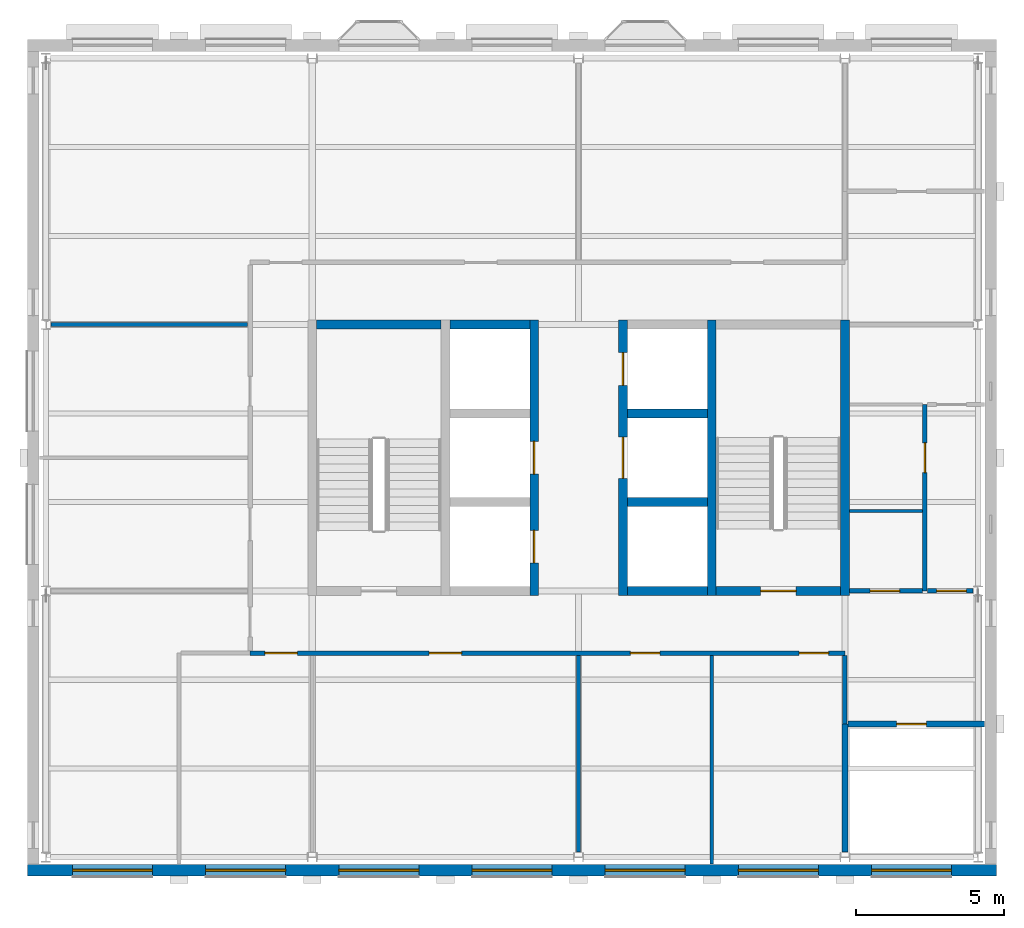
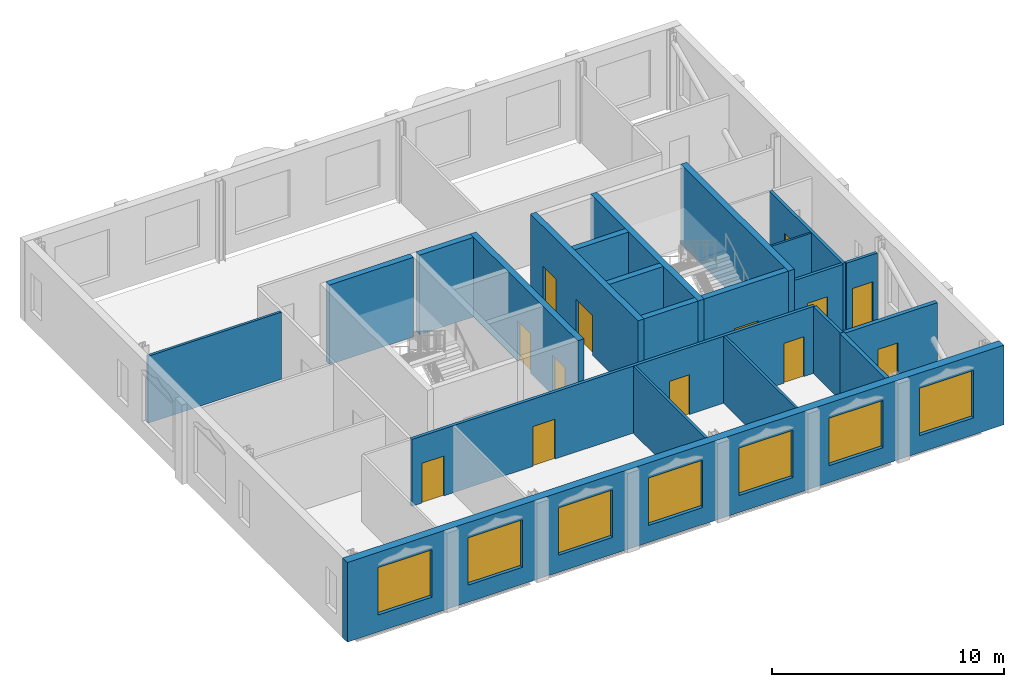
# One storey, part 4 of 9: 22 walls, 13 doors, 7 windows, 20 openings.
"""IFC4 building model written with IfcOpenShell, lengths in metres."""

from ifc_helpers import new_model, si_unit, direction, frame, frame_2d, origin, place, context, subcontext, project, spatial, rectangle, extrude, material, layer, layer_set, type_object, element, fill, save


model = new_model("IFC4")

# Units and contexts
model_context = context("Model", 3, precision=1e-05, world=origin(), true_north=direction((0.0, 1.0)))
body_context = subcontext(model_context, "Body", "Model", "MODEL_VIEW")
ifc_project = project(units=[si_unit("LENGTHUNIT", "METRE"), si_unit("AREAUNIT", "SQUARE_METRE"), si_unit("VOLUMEUNIT", "CUBIC_METRE"), si_unit("PLANEANGLEUNIT", "RADIAN"), si_unit("MASSUNIT", "GRAM", prefix="KILO")], contexts=[model_context])

# Site, building, storey
site_placement = place(None, origin())
site = spatial("IfcSite", under=ifc_project, at=site_placement, CompositionType="ELEMENT")
building_placement = place(site_placement, origin())
building = spatial("IfcBuilding", under=site, at=building_placement, Name="Hortulan Conservatory and Botanical Research Centre", CompositionType="ELEMENT")
storey_placement = place(building_placement, frame((0.0, 0.0, 40.199951171875)))
storey = spatial("IfcBuildingStorey", under=building, at=storey_placement, Name="L09", CompositionType="ELEMENT", Elevation=40.199951171875)

# Wall
ifc_material_1 = material(Name="Fire-rated plasterboard on steel studs", Category="steel")
ifc_layer_1 = layer(ifc_material_1, 0.199951171875)
ifc_layer_set_1 = layer_set([ifc_layer_1], Name="Compartment Partition 200")
wall_type_1 = type_object("IfcWallType", Name="Compartment Partition 200", PredefinedType="PARTITIONING", material=ifc_layer_set_1)
wall_1_placement = place(storey_placement, frame((27.0, 0.173583984375, 0.0), z_axis=(0.0, 0.0, 1.0), x_axis=(0.0, 1.0, 0.0)))
element("IfcWall", 1, at=wall_1_placement, inside=storey, type_object=wall_type_1, Name="Riser wall", PredefinedType="PARTITIONING", context=body_context, shape_type="SweptSolid", body=[
    extrude(rectangle(XDim=4.326416015625, YDim=0.199951171875, at=frame_2d((2.1630859375, 0.0))), origin(), (0.0, 0.0, 1.0), 3.537109375),
])

# Wall, opening, door
wall_2_placement = place(storey_placement, frame((27.110107421875, 4.5, 0.0), z_axis=(0.0, 0.0, 1.0), x_axis=(1.0, 0.0, 0.0)))
wall_2 = element("IfcWall", 2, at=wall_2_placement, inside=storey, type_object=wall_type_1, Name="Riser wall", PredefinedType="PARTITIONING", context=body_context, shape_type="SweptSolid", body=[
    extrude(rectangle(XDim=4.60498046875, YDim=0.199951171875, at=frame_2d((2.302490234375, 0.0))), origin(), (0.0, 0.0, 1.0), 3.537109375),
])
opening_1_placement = place(wall_2_placement, frame((1.639892578125, 0.0, 0.0)))
opening_1 = element("IfcOpeningElement", 3, at=opening_1_placement, cuts=wall_2, Name="Opening DT6", PredefinedType="OPENING", context=body_context, shape_type="SweptSolid", body=[
    extrude(rectangle(XDim=1.0, YDim=2.10009765625, at=frame_2d((0.5, 1.050048828125))), frame((0.0, 0.10986328125, 0.0), z_axis=(0.0, -1.0, 0.0), x_axis=(1.0, 0.0, 0.0)), (0.0, 0.0, 1.0), 0.219970703125),
])
ifc_material_2 = material(Name="Steel door leaf, insulated", Category="steel")
door_type_1 = type_object("IfcDoorType", Name="Fire Door 1000x2100 FRL -/120/30", OperationType="NOTDEFINED", PredefinedType="DOOR", material=ifc_material_2)
door_1_placement = place(opening_1_placement, frame((1.0, 0.0, 0.0), z_axis=(0.0, 0.0, 1.0), x_axis=(-1.0, 0.0, 0.0)))
door_1 = element("IfcDoor", 4, at=door_1_placement, inside=storey, type_object=door_type_1, Name="Door DT6 Services Riser", OperationType="SINGLE_SWING_LEFT", OverallHeight=2.10009765625, OverallWidth=1.0, PredefinedType="DOOR", context=body_context, shape_type="SweptSolid", body=[
    extrude(rectangle(XDim=1.0, YDim=2.10009765625, at=frame_2d((0.5, 1.050048828125))), frame((0.0, 0.02490234375, 0.0), z_axis=(0.0, -1.0, 0.0), x_axis=(1.0, 0.0, 0.0)), (0.0, 0.0, 1.0), 0.050048828125),
])
fill(opening_1, door_1)

# Wall, openings, doors
ifc_material_3 = material(Name="Concrete N40 (40 MPa, AS 3600)", Category="concrete")
ifc_layer_2 = layer(ifc_material_3, 0.300048828125)
ifc_layer_set_2 = layer_set([ifc_layer_2], Name="Core Wall 300 N40 FRL 240/120/120")
wall_type_2 = type_object("IfcWallType", Name="Core Wall 300 N40 FRL 240/120/120", PredefinedType="SHEAR", material=ifc_layer_set_2)
wall_3_placement = place(storey_placement, frame((16.5, 8.85009765625, 0.0), z_axis=(0.0, 0.0, 1.0), x_axis=(0.0, 1.0, 0.0)))
wall_3 = element("IfcWall", 5, at=wall_3_placement, inside=storey, type_object=wall_type_2, Name="Reinforced concrete shaft wall", PredefinedType="SHEAR", context=body_context, shape_type="SweptSolid", body=[
    extrude(rectangle(XDim=9.2998046875, YDim=0.300048828125, at=frame_2d((4.64990234375, 0.0))), origin(), (0.0, 0.0, 1.0), 4.199951171875),
])
opening_2_placement = place(wall_3_placement, frame((1.10009765625, 0.0, 0.0)))
opening_2 = element("IfcOpeningElement", 6, at=opening_2_placement, cuts=wall_3, Name="Opening LD1", PredefinedType="OPENING", context=body_context, shape_type="SweptSolid", body=[
    extrude(rectangle(XDim=1.10009765625, YDim=2.10009765625, at=frame_2d((0.550048828125, 1.050048828125))), frame((0.0, 0.159912109375, 0.0), z_axis=(0.0, -1.0, 0.0), x_axis=(1.0, 0.0, 0.0)), (0.0, 0.0, 1.0), 0.320068359375),
])
opening_3_placement = place(wall_3_placement, frame((4.10009765625, 0.0, 0.0)))
opening_3 = element("IfcOpeningElement", 7, at=opening_3_placement, cuts=wall_3, Name="Opening LD1", PredefinedType="OPENING", context=body_context, shape_type="SweptSolid", body=[
    extrude(rectangle(XDim=1.10009765625, YDim=2.10009765625, at=frame_2d((0.550048828125, 1.050048828125))), frame((0.0, 0.159912109375, 0.0), z_axis=(0.0, -1.0, 0.0), x_axis=(1.0, 0.0, 0.0)), (0.0, 0.0, 1.0), 0.320068359375),
])
ifc_material_4 = material(Name="Stainless steel door leaves in steel frame", Category="steel")
door_type_2 = type_object("IfcDoorType", Name="Lift Landing Door 1100x2100", OperationType="DOUBLE_DOOR_SLIDING", PredefinedType="DOOR", material=ifc_material_4)
door_2_placement = place(opening_2_placement, origin())
door_2 = element("IfcDoor", 8, at=door_2_placement, inside=storey, type_object=door_type_2, Name="Lift LP1 landing door L09", OperationType="DOUBLE_DOOR_SLIDING", OverallHeight=2.10009765625, OverallWidth=1.10009765625, PredefinedType="DOOR", context=body_context, shape_type="SweptSolid", body=[
    extrude(rectangle(XDim=1.10009765625, YDim=2.10009765625, at=frame_2d((0.550048828125, 1.050048828125))), frame((0.0, 0.02490234375, 0.0), z_axis=(0.0, -1.0, 0.0), x_axis=(1.0, 0.0, 0.0)), (0.0, 0.0, 1.0), 0.050048828125),
])
fill(opening_2, door_2)
door_3_placement = place(opening_3_placement, origin())
door_3 = element("IfcDoor", 9, at=door_3_placement, inside=storey, type_object=door_type_2, Name="Lift LP2 landing door L09", OperationType="DOUBLE_DOOR_SLIDING", OverallHeight=2.10009765625, OverallWidth=1.10009765625, PredefinedType="DOOR", context=body_context, shape_type="SweptSolid", body=[
    extrude(rectangle(XDim=1.10009765625, YDim=2.10009765625, at=frame_2d((0.550048828125, 1.050048828125))), frame((0.0, 0.02490234375, 0.0), z_axis=(0.0, -1.0, 0.0), x_axis=(1.0, 0.0, 0.0)), (0.0, 0.0, 1.0), 0.050048828125),
])
fill(opening_3, door_3)

wall_4_placement = place(storey_placement, frame((19.5, 8.85009765625, 0.0), z_axis=(0.0, 0.0, 1.0), x_axis=(0.0, 1.0, 0.0)))
wall_4 = element("IfcWall", 10, at=wall_4_placement, inside=storey, type_object=wall_type_2, Name="Reinforced concrete shaft wall", PredefinedType="SHEAR", context=body_context, shape_type="SweptSolid", body=[
    extrude(rectangle(XDim=9.2998046875, YDim=0.300048828125, at=frame_2d((4.64990234375, 0.0))), origin(), (0.0, 0.0, 1.0), 4.199951171875),
])
opening_4_placement = place(wall_4_placement, frame((3.949951171875, 0.0, 0.0)))
opening_4 = element("IfcOpeningElement", 11, at=opening_4_placement, cuts=wall_4, Name="Opening LD2", PredefinedType="OPENING", context=body_context, shape_type="SweptSolid", body=[
    extrude(rectangle(XDim=1.39990234375, YDim=2.10009765625, at=frame_2d((0.699951171875, 1.050048828125))), frame((0.0, 0.159912109375, 0.0), z_axis=(0.0, -1.0, 0.0), x_axis=(1.0, 0.0, 0.0)), (0.0, 0.0, 1.0), 0.320068359375),
])
opening_5_placement = place(wall_4_placement, frame((7.10009765625, 0.0, 0.0)))
opening_5 = element("IfcOpeningElement", 12, at=opening_5_placement, cuts=wall_4, Name="Opening LD1", PredefinedType="OPENING", context=body_context, shape_type="SweptSolid", body=[
    extrude(rectangle(XDim=1.10009765625, YDim=2.10009765625, at=frame_2d((0.550048828125, 1.050048828125))), frame((0.0, 0.159912109375, 0.0), z_axis=(0.0, -1.0, 0.0), x_axis=(1.0, 0.0, 0.0)), (0.0, 0.0, 1.0), 0.320068359375),
])
door_4_placement = place(opening_5_placement, origin())
door_4 = element("IfcDoor", 13, at=door_4_placement, inside=storey, type_object=door_type_2, Name="Lift LF1 landing door L09", OperationType="DOUBLE_DOOR_SLIDING", OverallHeight=2.10009765625, OverallWidth=1.10009765625, PredefinedType="DOOR", context=body_context, shape_type="SweptSolid", body=[
    extrude(rectangle(XDim=1.10009765625, YDim=2.10009765625, at=frame_2d((0.550048828125, 1.050048828125))), frame((0.0, 0.02490234375, 0.0), z_axis=(0.0, -1.0, 0.0), x_axis=(1.0, 0.0, 0.0)), (0.0, 0.0, 1.0), 0.050048828125),
])
fill(opening_5, door_4)
door_type_3 = type_object("IfcDoorType", Name="Lift Landing Door 1400x2100", OperationType="DOUBLE_DOOR_SLIDING", PredefinedType="DOOR", material=ifc_material_4)
door_5_placement = place(opening_4_placement, origin())
door_5 = element("IfcDoor", 14, at=door_5_placement, inside=storey, type_object=door_type_3, Name="Lift LG1 landing door L09", OperationType="DOUBLE_DOOR_SLIDING", OverallHeight=2.10009765625, OverallWidth=1.39990234375, PredefinedType="DOOR", context=body_context, shape_type="SweptSolid", body=[
    extrude(rectangle(XDim=1.39990234375, YDim=2.10009765625, at=frame_2d((0.699951171875, 1.050048828125))), frame((0.0, 0.02490234375, 0.0), z_axis=(0.0, -1.0, 0.0), x_axis=(1.0, 0.0, 0.0)), (0.0, 0.0, 1.0), 0.050048828125),
])
fill(opening_4, door_5)

# Walls
for number, where, z_axis, x_axis, name in (
    (15, (22.5, 8.85009765625, 0.0), (0.0, 0.0, 1.0), (0.0, 1.0, 0.0), "Reinforced concrete shaft wall"),
    (16, (27.0, 8.85009765625, 0.0), (0.0, 0.0, 1.0), (0.0, 1.0, 0.0), "Reinforced concrete shaft wall"),
):
    element("IfcWall", number, at=place(storey_placement, frame(where, z_axis=z_axis, x_axis=x_axis)), inside=storey, type_object=wall_type_2, Name=name, PredefinedType="SHEAR", context=body_context, shape_type="SweptSolid", body=[
        extrude(rectangle(XDim=9.2998046875, YDim=0.300048828125, at=frame_2d((4.64990234375, 0.0))), origin(), (0.0, 0.0, 1.0), 4.199951171875),
    ])
wall_5_placement = place(storey_placement, frame((19.64990234375, 9.0, 0.0), z_axis=(0.0, 0.0, 1.0), x_axis=(1.0, 0.0, 0.0)))
element("IfcWall", 17, at=wall_5_placement, inside=storey, type_object=wall_type_2, Name="Reinforced concrete shaft wall", PredefinedType="SHEAR", context=body_context, shape_type="SweptSolid", body=[
    extrude(rectangle(XDim=2.7001953125, YDim=0.300048828125, at=frame_2d((1.35009765625, 0.0))), origin(), (0.0, 0.0, 1.0), 4.199951171875),
])

# Wall, opening, door
wall_6_placement = place(storey_placement, frame((22.64990234375, 9.0, 0.0), z_axis=(0.0, 0.0, 1.0), x_axis=(1.0, 0.0, 0.0)))
wall_6 = element("IfcWall", 18, at=wall_6_placement, inside=storey, type_object=wall_type_2, Name="Reinforced concrete shaft wall", PredefinedType="SHEAR", context=body_context, shape_type="SweptSolid", body=[
    extrude(rectangle(XDim=4.2001953125, YDim=0.300048828125, at=frame_2d((2.10009765625, 0.0))), origin(), (0.0, 0.0, 1.0), 4.199951171875),
])
opening_6_placement = place(wall_6_placement, frame((1.5, 0.0, 0.0)))
opening_6 = element("IfcOpeningElement", 19, at=opening_6_placement, cuts=wall_6, Name="Opening DT5", PredefinedType="OPENING", context=body_context, shape_type="SweptSolid", body=[
    extrude(rectangle(XDim=1.199951171875, YDim=2.10009765625, at=frame_2d((0.60009765625, 1.050048828125))), frame((0.0, 0.159912109375, 0.0), z_axis=(0.0, -1.0, 0.0), x_axis=(1.0, 0.0, 0.0)), (0.0, 0.0, 1.0), 0.320068359375),
])
door_type_4 = type_object("IfcDoorType", Name="Stair Door 1200x2100 FRL -/120/30", OperationType="NOTDEFINED", PredefinedType="DOOR", material=ifc_material_2)
door_6_placement = place(opening_6_placement, origin())
door_6 = element("IfcDoor", 20, at=door_6_placement, inside=storey, type_object=door_type_4, Name="Door DT5 Exit Stair T2", OperationType="SINGLE_SWING_LEFT", OverallHeight=2.10009765625, OverallWidth=1.199951171875, PredefinedType="DOOR", context=body_context, shape_type="SweptSolid", body=[
    extrude(rectangle(XDim=1.199951171875, YDim=2.10009765625, at=frame_2d((0.60009765625, 1.050048828125))), frame((0.0, 0.02490234375, 0.0), z_axis=(0.0, -1.0, 0.0), x_axis=(1.0, 0.0, 0.0)), (0.0, 0.0, 1.0), 0.050048828125),
])
fill(opening_6, door_6)

# Walls
for number, where, z_axis, x_axis, name in (
    (21, (19.64990234375, 12.0, 0.0), (0.0, 0.0, 1.0), (1.0, 0.0, 0.0), "Reinforced concrete shaft wall"),
    (22, (19.64990234375, 15.0, 0.0), (0.0, 0.0, 1.0), (1.0, 0.0, 0.0), "Reinforced concrete shaft wall"),
):
    element("IfcWall", number, at=place(storey_placement, frame(where, z_axis=z_axis, x_axis=x_axis)), inside=storey, type_object=wall_type_2, Name=name, PredefinedType="SHEAR", context=body_context, shape_type="SweptSolid", body=[
        extrude(rectangle(XDim=2.7001953125, YDim=0.300048828125, at=frame_2d((1.35009765625, 0.0))), origin(), (0.0, 0.0, 1.0), 4.199951171875),
    ])
wall_7_placement = place(storey_placement, frame((9.14990234375, 18.0, 0.0), z_axis=(0.0, 0.0, 1.0), x_axis=(1.0, 0.0, 0.0)))
element("IfcWall", 23, at=wall_7_placement, inside=storey, type_object=wall_type_2, Name="Reinforced concrete shaft wall", PredefinedType="SHEAR", context=body_context, shape_type="SweptSolid", body=[
    extrude(rectangle(XDim=4.2001953125, YDim=0.300048828125, at=frame_2d((2.10009765625, 0.0))), origin(), (0.0, 0.0, 1.0), 4.199951171875),
])
wall_8_placement = place(storey_placement, frame((13.64990234375, 18.0, 0.0), z_axis=(0.0, 0.0, 1.0), x_axis=(1.0, 0.0, 0.0)))
element("IfcWall", 24, at=wall_8_placement, inside=storey, type_object=wall_type_2, Name="Reinforced concrete shaft wall", PredefinedType="SHEAR", context=body_context, shape_type="SweptSolid", body=[
    extrude(rectangle(XDim=2.7001953125, YDim=0.300048828125, at=frame_2d((1.35009765625, 0.0))), origin(), (0.0, 0.0, 1.0), 4.199951171875),
])
ifc_material_5 = material(Name="Plasterboard on steel studs", Category="steel")
ifc_layer_3 = layer(ifc_material_5, 0.14990234375)
ifc_layer_set_3 = layer_set([ifc_layer_3], Name="Corridor Partition 150")
wall_type_3 = type_object("IfcWallType", Name="Corridor Partition 150", PredefinedType="PARTITIONING", material=ifc_layer_set_3)
wall_9_placement = place(storey_placement, frame((27.0, 4.510009765625, 0.0), z_axis=(0.0, 0.0, 1.0), x_axis=(0.0, 1.0, 0.0)))
element("IfcWall", 25, at=wall_9_placement, inside=storey, type_object=wall_type_3, Name="Corridor partition", PredefinedType="PARTITIONING", context=body_context, shape_type="SweptSolid", body=[
    extrude(rectangle(XDim=2.304931640625, YDim=0.14990234375, at=frame_2d((1.15234375, 0.0))), origin(), (0.0, 0.0, 1.0), 3.537109375),
])

# Wall, openings, doors
wall_10_placement = place(storey_placement, frame((6.89990234375, 6.89990234375, 0.0), z_axis=(0.0, 0.0, 1.0), x_axis=(1.0, 0.0, 0.0)))
wall_10 = element("IfcWall", 26, at=wall_10_placement, inside=storey, type_object=wall_type_3, Name="Corridor partition", PredefinedType="PARTITIONING", context=body_context, shape_type="SweptSolid", body=[
    extrude(rectangle(XDim=20.10009765625, YDim=0.14990234375, at=frame_2d((10.050048828125, 0.0))), origin(), (0.0, 0.0, 1.0), 3.537109375),
])
opening_7_placement = place(wall_10_placement, frame((0.5, 0.0, 0.0)))
opening_7 = element("IfcOpeningElement", 27, at=opening_7_placement, cuts=wall_10, Name="Opening DT3", PredefinedType="OPENING", context=body_context, shape_type="SweptSolid", body=[
    extrude(rectangle(XDim=1.10009765625, YDim=2.10009765625, at=frame_2d((0.550048828125, 1.050048828125))), frame((0.0, 0.0849609375, 0.0), z_axis=(0.0, -1.0, 0.0), x_axis=(1.0, 0.0, 0.0)), (0.0, 0.0, 1.0), 0.169921875),
])
opening_8_placement = place(wall_10_placement, frame((6.050048828125, 0.0, 0.0)))
opening_8 = element("IfcOpeningElement", 28, at=opening_8_placement, cuts=wall_10, Name="Opening DT3", PredefinedType="OPENING", context=body_context, shape_type="SweptSolid", body=[
    extrude(rectangle(XDim=1.10009765625, YDim=2.10009765625, at=frame_2d((0.550048828125, 1.050048828125))), frame((0.0, 0.0849609375, 0.0), z_axis=(0.0, -1.0, 0.0), x_axis=(1.0, 0.0, 0.0)), (0.0, 0.0, 1.0), 0.169921875),
])
opening_9_placement = place(wall_10_placement, frame((12.85009765625, 0.0, 0.0)))
opening_9 = element("IfcOpeningElement", 29, at=opening_9_placement, cuts=wall_10, Name="Opening DT1", PredefinedType="OPENING", context=body_context, shape_type="SweptSolid", body=[
    extrude(rectangle(XDim=1.0, YDim=2.10009765625, at=frame_2d((0.5, 1.050048828125))), frame((0.0, 0.0849609375, 0.0), z_axis=(0.0, -1.0, 0.0), x_axis=(1.0, 0.0, 0.0)), (0.0, 0.0, 1.0), 0.169921875),
])
opening_10_placement = place(wall_10_placement, frame((18.550048828125, 0.0, 0.0)))
opening_10 = element("IfcOpeningElement", 30, at=opening_10_placement, cuts=wall_10, Name="Opening DT1", PredefinedType="OPENING", context=body_context, shape_type="SweptSolid", body=[
    extrude(rectangle(XDim=1.0, YDim=2.10009765625, at=frame_2d((0.5, 1.050048828125))), frame((0.0, 0.0849609375, 0.0), z_axis=(0.0, -1.0, 0.0), x_axis=(1.0, 0.0, 0.0)), (0.0, 0.0, 1.0), 0.169921875),
])
ifc_material_6 = material(Name="Timber door leaf with vision panel", Category="wood")
door_type_5 = type_object("IfcDoorType", Name="Laboratory Door 1100x2100", OperationType="NOTDEFINED", PredefinedType="DOOR", material=ifc_material_6)
door_7_placement = place(opening_7_placement, frame((1.10009765625, 0.0, 0.0), z_axis=(0.0, 0.0, 1.0), x_axis=(-1.0, 0.0, 0.0)))
door_7 = element("IfcDoor", 31, at=door_7_placement, inside=storey, type_object=door_type_5, Name="Door DT3 Laboratory Write-up Office", OperationType="SINGLE_SWING_LEFT", OverallHeight=2.10009765625, OverallWidth=1.10009765625, PredefinedType="DOOR", context=body_context, shape_type="SweptSolid", body=[
    extrude(rectangle(XDim=1.10009765625, YDim=2.10009765625, at=frame_2d((0.550048828125, 1.050048828125))), frame((0.0, 0.02490234375, 0.0), z_axis=(0.0, -1.0, 0.0), x_axis=(1.0, 0.0, 0.0)), (0.0, 0.0, 1.0), 0.050048828125),
])
fill(opening_7, door_7)
door_8_placement = place(opening_8_placement, frame((1.10009765625, 0.0, 0.0), z_axis=(0.0, 0.0, 1.0), x_axis=(-1.0, 0.0, 0.0)))
door_8 = element("IfcDoor", 32, at=door_8_placement, inside=storey, type_object=door_type_5, Name="Door DT3 Chemistry Laboratory", OperationType="SINGLE_SWING_RIGHT", OverallHeight=2.10009765625, OverallWidth=1.10009765625, PredefinedType="DOOR", context=body_context, shape_type="SweptSolid", body=[
    extrude(rectangle(XDim=1.10009765625, YDim=2.10009765625, at=frame_2d((0.550048828125, 1.050048828125))), frame((0.0, 0.02490234375, 0.0), z_axis=(0.0, -1.0, 0.0), x_axis=(1.0, 0.0, 0.0)), (0.0, 0.0, 1.0), 0.050048828125),
])
fill(opening_8, door_8)
ifc_material_7 = material(Name="Timber door leaf in timber frame", Category="wood")
door_type_6 = type_object("IfcDoorType", Name="Single Door 1000x2100", OperationType="NOTDEFINED", PredefinedType="DOOR", material=ifc_material_7)
door_9_placement = place(opening_9_placement, frame((1.0, 0.0, 0.0), z_axis=(0.0, 0.0, 1.0), x_axis=(-1.0, 0.0, 0.0)))
door_9 = element("IfcDoor", 33, at=door_9_placement, inside=storey, type_object=door_type_6, Name="Door DT1 Instrument Room", OperationType="SINGLE_SWING_LEFT", OverallHeight=2.10009765625, OverallWidth=1.0, PredefinedType="DOOR", context=body_context, shape_type="SweptSolid", body=[
    extrude(rectangle(XDim=1.0, YDim=2.10009765625, at=frame_2d((0.5, 1.050048828125))), frame((0.0, 0.02490234375, 0.0), z_axis=(0.0, -1.0, 0.0), x_axis=(1.0, 0.0, 0.0)), (0.0, 0.0, 1.0), 0.050048828125),
])
fill(opening_9, door_9)
door_10_placement = place(opening_10_placement, frame((1.0, 0.0, 0.0), z_axis=(0.0, 0.0, 1.0), x_axis=(-1.0, 0.0, 0.0)))
door_10 = element("IfcDoor", 34, at=door_10_placement, inside=storey, type_object=door_type_6, Name="Door DT1 Equipment Store", OperationType="SINGLE_SWING_RIGHT", OverallHeight=2.10009765625, OverallWidth=1.0, PredefinedType="DOOR", context=body_context, shape_type="SweptSolid", body=[
    extrude(rectangle(XDim=1.0, YDim=2.10009765625, at=frame_2d((0.5, 1.050048828125))), frame((0.0, 0.02490234375, 0.0), z_axis=(0.0, -1.0, 0.0), x_axis=(1.0, 0.0, 0.0)), (0.0, 0.0, 1.0), 0.050048828125),
])
fill(opening_10, door_10)

# Wall, opening, door
wall_11_placement = place(storey_placement, frame((27.159912109375, 9.0, 0.0), z_axis=(0.0, 0.0, 1.0), x_axis=(1.0, 0.0, 0.0)))
wall_11 = element("IfcWall", 35, at=wall_11_placement, inside=storey, type_object=wall_type_3, Name="Corridor partition", PredefinedType="PARTITIONING", context=body_context, shape_type="SweptSolid", body=[
    extrude(rectangle(XDim=2.455078125, YDim=0.14990234375, at=frame_2d((1.2275390625, 0.0))), origin(), (0.0, 0.0, 1.0), 3.537109375),
])
opening_11_placement = place(wall_11_placement, frame((0.68994140625, 0.0, 0.0)))
opening_11 = element("IfcOpeningElement", 36, at=opening_11_placement, cuts=wall_11, Name="Opening DT1", PredefinedType="OPENING", context=body_context, shape_type="SweptSolid", body=[
    extrude(rectangle(XDim=1.0, YDim=2.10009765625, at=frame_2d((0.5, 1.050048828125))), frame((0.0, 0.0849609375, 0.0), z_axis=(0.0, -1.0, 0.0), x_axis=(1.0, 0.0, 0.0)), (0.0, 0.0, 1.0), 0.169921875),
])
door_11_placement = place(opening_11_placement, origin())
door_11 = element("IfcDoor", 37, at=door_11_placement, inside=storey, type_object=door_type_6, Name="Door DT1 Accessible WC", OperationType="SINGLE_SWING_RIGHT", OverallHeight=2.10009765625, OverallWidth=1.0, PredefinedType="DOOR", context=body_context, shape_type="SweptSolid", body=[
    extrude(rectangle(XDim=1.0, YDim=2.10009765625, at=frame_2d((0.5, 1.050048828125))), frame((0.0, 0.02490234375, 0.0), z_axis=(0.0, -1.0, 0.0), x_axis=(1.0, 0.0, 0.0)), (0.0, 0.0, 1.0), 0.050048828125),
])
fill(opening_11, door_11)

# Wall, openings, windows
ifc_material_8 = material(Name="Faience-faced brickwork masonry", Category="masonry")
ifc_layer_4 = layer(ifc_material_8, 0.39990234375)
ifc_layer_set_4 = layer_set([ifc_layer_4], Name="Faience-faced Masonry Cavity Wall 400")
wall_type_4 = type_object("IfcWallType", Name="Faience-faced Masonry Cavity Wall 400", PredefinedType="STANDARD", material=ifc_layer_set_4)
wall_12_placement = place(storey_placement, frame((32.125, -0.43603515625, 0.0), z_axis=(0.0, 0.0, 1.0), x_axis=(-1.0, 0.0, 0.0)))
wall_12 = element("IfcWall", 38, at=wall_12_placement, inside=storey, type_object=wall_type_4, Name="E-EW-TW-L09-S1", PredefinedType="STANDARD", context=body_context, shape_type="SweptSolid", body=[
    extrude(rectangle(XDim=32.75, YDim=0.39990234375, at=frame_2d((16.375, 0.0))), origin(), (0.0, 0.0, 1.0), 4.199951171875),
])
opening_12_placement = place(wall_12_placement, frame((28.52490234375, 0.0, 0.89990234375)))
opening_12 = element("IfcOpeningElement", 39, at=opening_12_placement, cuts=wall_12, Name="Opening W4", PredefinedType="OPENING", context=body_context, shape_type="SweptSolid", body=[
    extrude(rectangle(XDim=2.699951171875, YDim=2.5, at=frame_2d((1.35009765625, 1.25))), frame((0.0, 0.2099609375, 0.0), z_axis=(0.0, -1.0, 0.0), x_axis=(1.0, 0.0, 0.0)), (0.0, 0.0, 1.0), 0.419921875),
])
opening_13_placement = place(wall_12_placement, frame((24.02490234375, 0.0, 0.89990234375)))
opening_13 = element("IfcOpeningElement", 40, at=opening_13_placement, cuts=wall_12, Name="Opening W4", PredefinedType="OPENING", context=body_context, shape_type="SweptSolid", body=[
    extrude(rectangle(XDim=2.699951171875, YDim=2.5, at=frame_2d((1.35009765625, 1.25))), frame((0.0, 0.2099609375, 0.0), z_axis=(0.0, -1.0, 0.0), x_axis=(1.0, 0.0, 0.0)), (0.0, 0.0, 1.0), 0.419921875),
])
opening_14_placement = place(wall_12_placement, frame((19.52490234375, 0.0, 0.89990234375)))
opening_14 = element("IfcOpeningElement", 41, at=opening_14_placement, cuts=wall_12, Name="Opening W4", PredefinedType="OPENING", context=body_context, shape_type="SweptSolid", body=[
    extrude(rectangle(XDim=2.699951171875, YDim=2.5, at=frame_2d((1.35009765625, 1.25))), frame((0.0, 0.2099609375, 0.0), z_axis=(0.0, -1.0, 0.0), x_axis=(1.0, 0.0, 0.0)), (0.0, 0.0, 1.0), 0.419921875),
])
opening_15_placement = place(wall_12_placement, frame((15.02490234375, 0.0, 0.89990234375)))
opening_15 = element("IfcOpeningElement", 42, at=opening_15_placement, cuts=wall_12, Name="Opening W4", PredefinedType="OPENING", context=body_context, shape_type="SweptSolid", body=[
    extrude(rectangle(XDim=2.699951171875, YDim=2.5, at=frame_2d((1.35009765625, 1.25))), frame((0.0, 0.2099609375, 0.0), z_axis=(0.0, -1.0, 0.0), x_axis=(1.0, 0.0, 0.0)), (0.0, 0.0, 1.0), 0.419921875),
])
opening_16_placement = place(wall_12_placement, frame((10.52490234375, 0.0, 0.89990234375)))
opening_16 = element("IfcOpeningElement", 43, at=opening_16_placement, cuts=wall_12, Name="Opening W4", PredefinedType="OPENING", context=body_context, shape_type="SweptSolid", body=[
    extrude(rectangle(XDim=2.699951171875, YDim=2.5, at=frame_2d((1.35009765625, 1.25))), frame((0.0, 0.2099609375, 0.0), z_axis=(0.0, -1.0, 0.0), x_axis=(1.0, 0.0, 0.0)), (0.0, 0.0, 1.0), 0.419921875),
])
opening_17_placement = place(wall_12_placement, frame((6.02490234375, 0.0, 0.89990234375)))
opening_17 = element("IfcOpeningElement", 44, at=opening_17_placement, cuts=wall_12, Name="Opening W4", PredefinedType="OPENING", context=body_context, shape_type="SweptSolid", body=[
    extrude(rectangle(XDim=2.699951171875, YDim=2.5, at=frame_2d((1.35009765625, 1.25))), frame((0.0, 0.2099609375, 0.0), z_axis=(0.0, -1.0, 0.0), x_axis=(1.0, 0.0, 0.0)), (0.0, 0.0, 1.0), 0.419921875),
])
opening_18_placement = place(wall_12_placement, frame((1.52490234375, 0.0, 0.89990234375)))
opening_18 = element("IfcOpeningElement", 45, at=opening_18_placement, cuts=wall_12, Name="Opening W4", PredefinedType="OPENING", context=body_context, shape_type="SweptSolid", body=[
    extrude(rectangle(XDim=2.699951171875, YDim=2.5, at=frame_2d((1.35009765625, 1.25))), frame((0.0, 0.2099609375, 0.0), z_axis=(0.0, -1.0, 0.0), x_axis=(1.0, 0.0, 0.0)), (0.0, 0.0, 1.0), 0.419921875),
])
ifc_material_9 = material(Name="Bronze-finished aluminium frame with low-e laminated double glazing", Category="aluminium")
window_type = type_object("IfcWindowType", Name="Faience Window 2700x2500", PartitioningType="SINGLE_PANEL", PredefinedType="WINDOW", material=ifc_material_9)
window_1_placement = place(opening_12_placement, origin())
window_1 = element("IfcWindow", 46, at=window_1_placement, inside=storey, type_object=window_type, Name="Faience window", OverallHeight=2.5, OverallWidth=2.699951171875, PartitioningType="SINGLE_PANEL", PredefinedType="WINDOW", context=body_context, shape_type="SweptSolid", body=[
    extrude(rectangle(XDim=2.699951171875, YDim=2.5, at=frame_2d((1.35009765625, 1.25))), frame((0.0, 0.030029296875, 0.0), z_axis=(0.0, -1.0, 0.0), x_axis=(1.0, 0.0, 0.0)), (0.0, 0.0, 1.0), 0.06005859375),
])
fill(opening_12, window_1)
window_2_placement = place(opening_13_placement, origin())
window_2 = element("IfcWindow", 47, at=window_2_placement, inside=storey, type_object=window_type, Name="Faience window", OverallHeight=2.5, OverallWidth=2.699951171875, PartitioningType="SINGLE_PANEL", PredefinedType="WINDOW", context=body_context, shape_type="SweptSolid", body=[
    extrude(rectangle(XDim=2.699951171875, YDim=2.5, at=frame_2d((1.35009765625, 1.25))), frame((0.0, 0.030029296875, 0.0), z_axis=(0.0, -1.0, 0.0), x_axis=(1.0, 0.0, 0.0)), (0.0, 0.0, 1.0), 0.06005859375),
])
fill(opening_13, window_2)
window_3_placement = place(opening_14_placement, origin())
window_3 = element("IfcWindow", 48, at=window_3_placement, inside=storey, type_object=window_type, Name="Faience window", OverallHeight=2.5, OverallWidth=2.699951171875, PartitioningType="SINGLE_PANEL", PredefinedType="WINDOW", context=body_context, shape_type="SweptSolid", body=[
    extrude(rectangle(XDim=2.699951171875, YDim=2.5, at=frame_2d((1.35009765625, 1.25))), frame((0.0, 0.030029296875, 0.0), z_axis=(0.0, -1.0, 0.0), x_axis=(1.0, 0.0, 0.0)), (0.0, 0.0, 1.0), 0.06005859375),
])
fill(opening_14, window_3)
window_4_placement = place(opening_15_placement, origin())
window_4 = element("IfcWindow", 49, at=window_4_placement, inside=storey, type_object=window_type, Name="Faience window", OverallHeight=2.5, OverallWidth=2.699951171875, PartitioningType="SINGLE_PANEL", PredefinedType="WINDOW", context=body_context, shape_type="SweptSolid", body=[
    extrude(rectangle(XDim=2.699951171875, YDim=2.5, at=frame_2d((1.35009765625, 1.25))), frame((0.0, 0.030029296875, 0.0), z_axis=(0.0, -1.0, 0.0), x_axis=(1.0, 0.0, 0.0)), (0.0, 0.0, 1.0), 0.06005859375),
])
fill(opening_15, window_4)
window_5_placement = place(opening_16_placement, origin())
window_5 = element("IfcWindow", 50, at=window_5_placement, inside=storey, type_object=window_type, Name="Faience window", OverallHeight=2.5, OverallWidth=2.699951171875, PartitioningType="SINGLE_PANEL", PredefinedType="WINDOW", context=body_context, shape_type="SweptSolid", body=[
    extrude(rectangle(XDim=2.699951171875, YDim=2.5, at=frame_2d((1.35009765625, 1.25))), frame((0.0, 0.030029296875, 0.0), z_axis=(0.0, -1.0, 0.0), x_axis=(1.0, 0.0, 0.0)), (0.0, 0.0, 1.0), 0.06005859375),
])
fill(opening_16, window_5)
window_6_placement = place(opening_17_placement, origin())
window_6 = element("IfcWindow", 51, at=window_6_placement, inside=storey, type_object=window_type, Name="Faience window", OverallHeight=2.5, OverallWidth=2.699951171875, PartitioningType="SINGLE_PANEL", PredefinedType="WINDOW", context=body_context, shape_type="SweptSolid", body=[
    extrude(rectangle(XDim=2.699951171875, YDim=2.5, at=frame_2d((1.35009765625, 1.25))), frame((0.0, 0.030029296875, 0.0), z_axis=(0.0, -1.0, 0.0), x_axis=(1.0, 0.0, 0.0)), (0.0, 0.0, 1.0), 0.06005859375),
])
fill(opening_17, window_6)
window_7_placement = place(opening_18_placement, origin())
window_7 = element("IfcWindow", 52, at=window_7_placement, inside=storey, type_object=window_type, Name="Faience window", OverallHeight=2.5, OverallWidth=2.699951171875, PartitioningType="SINGLE_PANEL", PredefinedType="WINDOW", context=body_context, shape_type="SweptSolid", body=[
    extrude(rectangle(XDim=2.699951171875, YDim=2.5, at=frame_2d((1.35009765625, 1.25))), frame((0.0, 0.030029296875, 0.0), z_axis=(0.0, -1.0, 0.0), x_axis=(1.0, 0.0, 0.0)), (0.0, 0.0, 1.0), 0.06005859375),
])
fill(opening_18, window_7)

# Wall, opening, door
ifc_layer_5 = layer(ifc_material_1, 0.14990234375)
ifc_layer_set_5 = layer_set([ifc_layer_5], Name="Lobby Partition 150")
wall_type_5 = type_object("IfcWallType", Name="Lobby Partition 150", PredefinedType="PARTITIONING", material=ifc_layer_set_5)
wall_13_placement = place(storey_placement, frame((29.699951171875, 9.0, 0.0), z_axis=(0.0, 0.0, 1.0), x_axis=(0.0, 1.0, 0.0)))
wall_13 = element("IfcWall", 53, at=wall_13_placement, inside=storey, type_object=wall_type_5, Name="Lobby partition", PredefinedType="PARTITIONING", context=body_context, shape_type="SweptSolid", body=[
    extrude(rectangle(XDim=6.300048828125, YDim=0.14990234375, at=frame_2d((3.14990234375, 0.0))), origin(), (0.0, 0.0, 1.0), 3.537109375),
])
opening_19_placement = place(wall_13_placement, frame((4.0, 0.0, 0.0)))
opening_19 = element("IfcOpeningElement", 54, at=opening_19_placement, cuts=wall_13, Name="Opening DT4", PredefinedType="OPENING", context=body_context, shape_type="SweptSolid", body=[
    extrude(rectangle(XDim=1.0, YDim=2.10009765625, at=frame_2d((0.5, 1.050048828125))), frame((0.0, 0.0849609375, 0.0), z_axis=(0.0, -1.0, 0.0), x_axis=(1.0, 0.0, 0.0)), (0.0, 0.0, 1.0), 0.169921875),
])
door_type_7 = type_object("IfcDoorType", Name="Fire Door 1000x2100 FRL -/60/30", OperationType="NOTDEFINED", PredefinedType="DOOR", material=ifc_material_2)
door_12_placement = place(opening_19_placement, origin())
door_12 = element("IfcDoor", 55, at=door_12_placement, inside=storey, type_object=door_type_7, Name="Door DT4 Women's WC", OperationType="SINGLE_SWING_LEFT", OverallHeight=2.10009765625, OverallWidth=1.0, PredefinedType="DOOR", context=body_context, shape_type="SweptSolid", body=[
    extrude(rectangle(XDim=1.0, YDim=2.10009765625, at=frame_2d((0.5, 1.050048828125))), frame((0.0, 0.02490234375, 0.0), z_axis=(0.0, -1.0, 0.0), x_axis=(1.0, 0.0, 0.0)), (0.0, 0.0, 1.0), 0.050048828125),
])
fill(opening_19, door_12)

wall_14_placement = place(storey_placement, frame((29.784912109375, 9.0, 0.0), z_axis=(0.0, 0.0, 1.0), x_axis=(1.0, 0.0, 0.0)))
wall_14 = element("IfcWall", 56, at=wall_14_placement, inside=storey, type_object=wall_type_5, Name="Lobby partition", PredefinedType="PARTITIONING", context=body_context, shape_type="SweptSolid", body=[
    extrude(rectangle(XDim=1.549560546875, YDim=0.14990234375, at=frame_2d((0.77490234375, 0.0))), origin(), (0.0, 0.0, 1.0), 3.537109375),
])
opening_20_placement = place(wall_14_placement, frame((0.31494140625, 0.0, 0.0)))
opening_20 = element("IfcOpeningElement", 57, at=opening_20_placement, cuts=wall_14, Name="Opening DT4", PredefinedType="OPENING", context=body_context, shape_type="SweptSolid", body=[
    extrude(rectangle(XDim=1.0, YDim=2.10009765625, at=frame_2d((0.5, 1.050048828125))), frame((0.0, 0.0849609375, 0.0), z_axis=(0.0, -1.0, 0.0), x_axis=(1.0, 0.0, 0.0)), (0.0, 0.0, 1.0), 0.169921875),
])
door_13_placement = place(opening_20_placement, origin())
door_13 = element("IfcDoor", 58, at=door_13_placement, inside=storey, type_object=door_type_7, Name="Door DT4 WC Lobby", OperationType="SINGLE_SWING_LEFT", OverallHeight=2.10009765625, OverallWidth=1.0, PredefinedType="DOOR", context=body_context, shape_type="SweptSolid", body=[
    extrude(rectangle(XDim=1.0, YDim=2.10009765625, at=frame_2d((0.5, 1.050048828125))), frame((0.0, 0.02490234375, 0.0), z_axis=(0.0, -1.0, 0.0), x_axis=(1.0, 0.0, 0.0)), (0.0, 0.0, 1.0), 0.050048828125),
])
fill(opening_20, door_13)

# Walls
ifc_layer_6 = layer(ifc_material_5, 0.125)
ifc_layer_set_6 = layer_set([ifc_layer_6], Name="Partition 125")
wall_type_6 = type_object("IfcWallType", Name="Partition 125", PredefinedType="PARTITIONING", material=ifc_layer_set_6)
wall_15_placement = place(storey_placement, frame((18.0, 0.173583984375, 0.0), z_axis=(0.0, 0.0, 1.0), x_axis=(0.0, 1.0, 0.0)))
element("IfcWall", 59, at=wall_15_placement, inside=storey, type_object=wall_type_6, Name="Partition", PredefinedType="PARTITIONING", context=body_context, shape_type="SweptSolid", body=[
    extrude(rectangle(XDim=6.641357421875, YDim=0.125, at=frame_2d((3.32080078125, 0.0))), origin(), (0.0, 0.0, 1.0), 3.537109375),
])
wall_16_placement = place(storey_placement, frame((22.5, -0.22607421875, 0.0), z_axis=(0.0, 0.0, 1.0), x_axis=(0.0, 1.0, 0.0)))
element("IfcWall", 60, at=wall_16_placement, inside=storey, type_object=wall_type_6, Name="Partition", PredefinedType="PARTITIONING", context=body_context, shape_type="SweptSolid", body=[
    extrude(rectangle(XDim=7.041015625, YDim=0.125, at=frame_2d((3.5205078125, 0.0))), origin(), (0.0, 0.0, 1.0), 3.537109375),
])
wall_17_placement = place(storey_placement, frame((0.16552734375, 18.0, 0.0), z_axis=(0.0, 0.0, 1.0), x_axis=(1.0, 0.0, 0.0)))
element("IfcWall", 61, at=wall_17_placement, inside=storey, type_object=wall_type_6, Name="Partition", PredefinedType="PARTITIONING", context=body_context, shape_type="SweptSolid", body=[
    extrude(rectangle(XDim=6.6494140625, YDim=0.125, at=frame_2d((3.32470703125, 0.0))), origin(), (0.0, 0.0, 1.0), 3.537109375),
])
ifc_material_10 = material(Name="Moisture-resistant plasterboard on steel studs", Category="steel")
ifc_layer_7 = layer(ifc_material_10, 0.10009765625)
ifc_layer_set_7 = layer_set([ifc_layer_7], Name="Wet Area Partition 100")
wall_type_7 = type_object("IfcWallType", Name="Wet Area Partition 100", PredefinedType="PARTITIONING", material=ifc_layer_set_7)
wall_18_placement = place(storey_placement, frame((27.159912109375, 11.699951171875, 0.0), z_axis=(0.0, 0.0, 1.0), x_axis=(1.0, 0.0, 0.0)))
element("IfcWall", 62, at=wall_18_placement, inside=storey, type_object=wall_type_7, Name="Toilet partition", PredefinedType="PARTITIONING", context=body_context, shape_type="SweptSolid", body=[
    extrude(rectangle(XDim=2.455078125, YDim=0.10009765625, at=frame_2d((1.2275390625, 0.0))), origin(), (0.0, 0.0, 1.0), 3.537109375),
])

save(model, "model.ifc")
